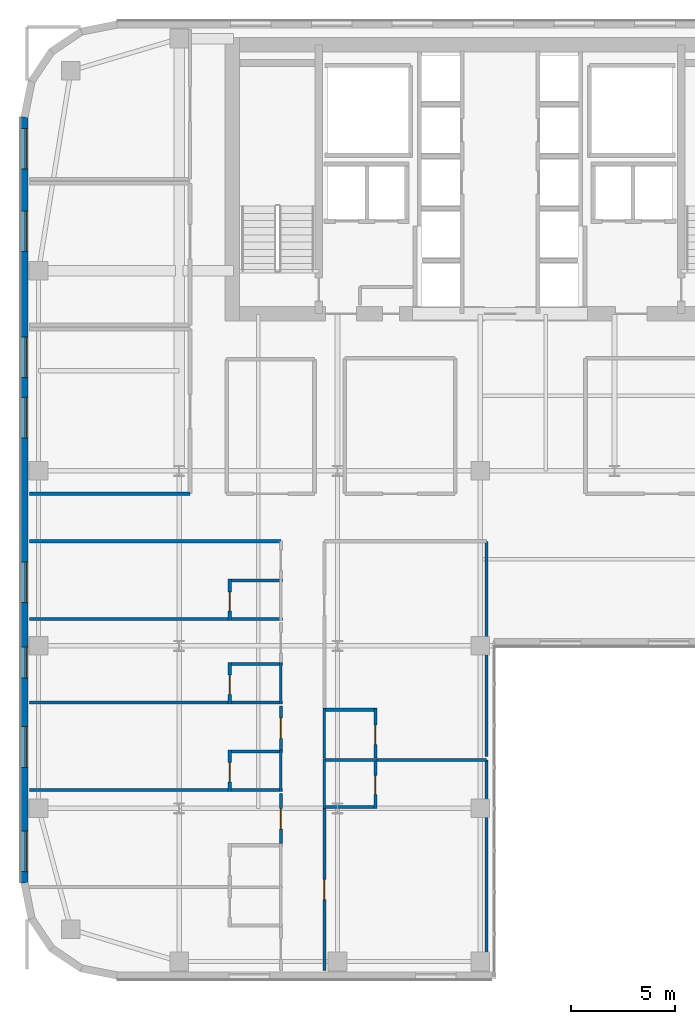
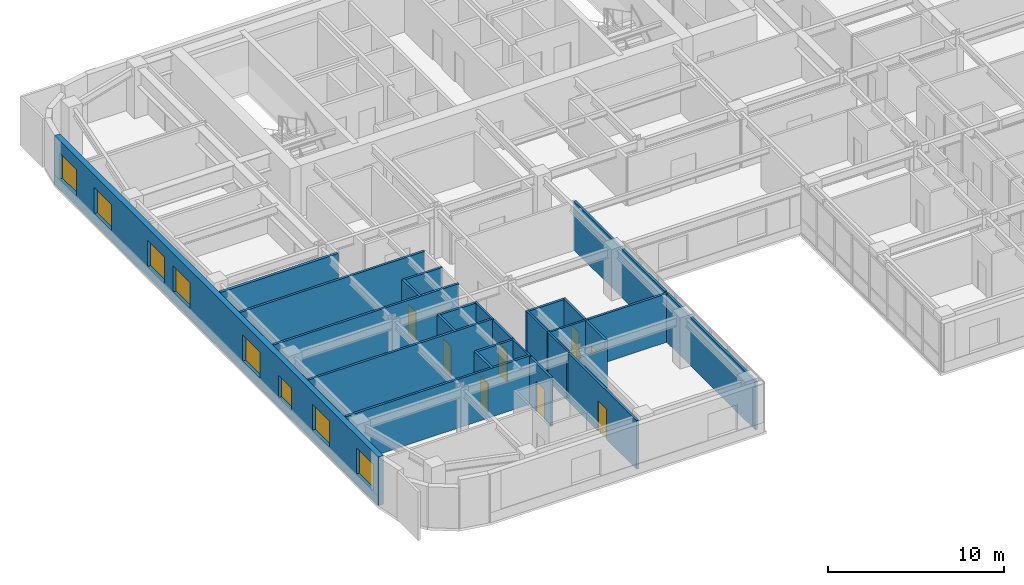
# One storey, part 14 of 25: 27 walls, 8 doors, 8 windows, 16 openings.
"""IFC4 building model written with IfcOpenShell, lengths in metres."""

import ifcopenshell
import ifcopenshell.guid

model = None  # the IFC model being written
_history = None  # IfcOwnerHistory: only IFC2X3 demands one
_inside = {}  # id of a spatial element -> (the spatial element, [elements in it])
_under = {}  # id of a project, library or spatial element -> (it, [spatial elements below it])
_declared = {}  # id of a project -> (the project, [libraries it declares])
_typed = {}  # id of a type object -> (the type object, [elements of that type])
_made_of = {}  # id of a material, layer set ... -> (it, [elements and type objects made of it])


def new_model(schema):
    """Start an empty IFC model of exactly this schema.

    Asked for "IFC4X3", IfcOpenShell would pick the latest addendum, in which some entities
    have other attributes; the version numbers below select the first issue.
    IFC2X3 requires an IfcOwnerHistory on every rooted entity: one is made here for all.
    """
    global model, _history
    if schema == "IFC4X3":
        model = ifcopenshell.file(schema_version=(4, 3, 0, 0))
    else:
        model = ifcopenshell.file(schema=schema)
    _inside.clear()
    _under.clear()
    _declared.clear()
    _typed.clear()
    _made_of.clear()
    _history = None
    if model.schema == "IFC2X3":
        org = make("IfcOrganization", Name="unknown")
        user = make(
            "IfcPersonAndOrganization",
            ThePerson=make("IfcPerson", FamilyName="unknown"),
            TheOrganization=org,
        )
        app = make(
            "IfcApplication",
            ApplicationDeveloper=org,
            Version="unknown",
            ApplicationFullName="unknown",
            ApplicationIdentifier="unknown",
        )
        _history = make(
            "IfcOwnerHistory",
            OwningUser=user,
            OwningApplication=app,
            ChangeAction="ADDED",
            CreationDate=0,
        )
    return model


def make(cls, **values):
    """One entity of the class cls with the attributes given. An attribute that is None is left unset."""
    return model.create_entity(
        cls, **{name: value for name, value in values.items() if value is not None}
    )


def rooted(cls, **values):
    """An entity with a GlobalId (a new one), such as an element, a storey or a relation."""
    return make(cls, GlobalId=ifcopenshell.guid.new(), OwnerHistory=_history, **values)


def si_unit(unit_type, name, prefix=None):
    """IfcSIUnit, for example si_unit("LENGTHUNIT", "METRE", prefix="MILLI")."""
    return make("IfcSIUnit", UnitType=unit_type, Prefix=prefix, Name=name)


def assignment(units):
    """IfcUnitAssignment: the units of a project."""
    return None if units is None else make("IfcUnitAssignment", Units=units)


def point(xyz):
    """IfcCartesianPoint."""
    return None if xyz is None else make("IfcCartesianPoint", Coordinates=xyz)


def direction(xyz):
    """IfcDirection."""
    return None if xyz is None else make("IfcDirection", DirectionRatios=xyz)


def frame(location, z_axis=None, x_axis=None):
    """IfcAxis2Placement3D, a coordinate frame: its origin and axes. An axis left out is left unset."""
    return make(
        "IfcAxis2Placement3D",
        Location=point(location),
        Axis=direction(z_axis),
        RefDirection=direction(x_axis),
    )


def frame_2d(location, x_axis=None):
    """IfcAxis2Placement2D, a coordinate frame in the plane: its origin and x axis."""
    return make(
        "IfcAxis2Placement2D", Location=point(location), RefDirection=direction(x_axis)
    )


def origin():
    """The frame at (0, 0, 0) with its axes left unset."""
    return frame((0.0, 0.0, 0.0))


def place(relative_to, where):
    """IfcLocalPlacement: puts the frame where relative to a parent placement (None: the world)."""
    return make(
        "IfcLocalPlacement", PlacementRelTo=relative_to, RelativePlacement=where
    )


def context(
    kind, dimensions, precision=None, world=None, true_north=None, identifier=None
):
    """IfcGeometricRepresentationContext, for example the 3D "Model" context."""
    return make(
        "IfcGeometricRepresentationContext",
        ContextIdentifier=identifier,
        ContextType=kind,
        CoordinateSpaceDimension=dimensions,
        Precision=precision,
        WorldCoordinateSystem=world,
        TrueNorth=true_north,
    )


def subcontext(parent, identifier, kind, view, scale=None):
    """IfcGeometricRepresentationSubContext, for example "Body" below "Model"."""
    return make(
        "IfcGeometricRepresentationSubContext",
        ContextIdentifier=identifier,
        ContextType=kind,
        ParentContext=parent,
        TargetScale=scale,
        TargetView=view,
    )


def project(units=None, contexts=None):
    """IfcProject with its units and contexts."""
    return rooted(
        "IfcProject",
        Name="project",
        RepresentationContexts=contexts,
        UnitsInContext=assignment(units),
    )


def spatial(cls, under=None, at=None, **own):
    """A site, building, storey or space (cls), placed at a placement, below another one or the project."""
    s = rooted(cls, ObjectPlacement=at, **own)
    if under is not None:
        _under.setdefault(under.id(), (under, []))[1].append(s)
    return s


def profile(cls, at=None, kind="AREA", **sizes):
    """A parametric profile (cls). Its sizes go by their IFC names, for example OverallWidth=200.0."""
    return make(cls, ProfileType=kind, Position=at, **sizes)


def rectangle(**sizes):
    """IfcRectangleProfileDef."""
    return profile("IfcRectangleProfileDef", **sizes)


def extrude(swept, where, along, depth):
    """IfcExtrudedAreaSolid: the profile swept, set in the frame where, extruded along a direction by depth."""
    return make(
        "IfcExtrudedAreaSolid",
        SweptArea=swept,
        Position=where,
        ExtrudedDirection=direction(along),
        Depth=depth,
    )


def shape(context_of_items, identifier, shape_type, items):
    """IfcShapeRepresentation: the items that make up one representation, for example the "Body"."""
    return make(
        "IfcShapeRepresentation",
        ContextOfItems=context_of_items,
        RepresentationIdentifier=identifier,
        RepresentationType=shape_type,
        Items=items,
    )


def source(mapping_origin, context_of_items, identifier, shape_type, items):
    """IfcRepresentationMap: a shape defined once, which mapped items show again and again."""
    return make(
        "IfcRepresentationMap",
        MappingOrigin=mapping_origin,
        MappedRepresentation=shape(context_of_items, identifier, shape_type, items),
    )


def transform(
    local_origin,
    x_axis=None,
    y_axis=None,
    z_axis=None,
    scale=None,
    scale2=None,
    scale3=None,
    uniform=True,
):
    """IfcCartesianTransformationOperator3D, or its non-uniform kind. x_axis, y_axis, z_axis: its Axis1, 2, 3."""
    if uniform:
        return make(
            "IfcCartesianTransformationOperator3D",
            Axis1=direction(x_axis),
            Axis2=direction(y_axis),
            LocalOrigin=point(local_origin),
            Scale=scale,
            Axis3=direction(z_axis),
        )
    return make(
        "IfcCartesianTransformationOperator3DnonUniform",
        Axis1=direction(x_axis),
        Axis2=direction(y_axis),
        LocalOrigin=point(local_origin),
        Scale=scale,
        Axis3=direction(z_axis),
        Scale2=scale2,
        Scale3=scale3,
    )


def mapped(mapping_source, mapping_target):
    """IfcMappedItem: shows the shape of a source again, moved by a transform."""
    return make(
        "IfcMappedItem", MappingSource=mapping_source, MappingTarget=mapping_target
    )


def material(Name=None, Category=None):
    """IfcMaterial."""
    return make("IfcMaterial", Name=Name, Category=Category)


def layer(
    of_material, thickness, ventilated=None, Name=None, Category=None, Priority=None
):
    """IfcMaterialLayer: one layer of a wall or slab, of a material (None: an air gap)."""
    return make(
        "IfcMaterialLayer",
        Material=of_material,
        LayerThickness=thickness,
        IsVentilated=ventilated,
        Name=Name,
        Category=Category,
        Priority=Priority,
    )


def layer_set(layers, Name=None):
    """IfcMaterialLayerSet."""
    return make("IfcMaterialLayerSet", MaterialLayers=layers, LayerSetName=Name)


def made_of(thing, what):
    """Note that an element or type object is made of a material, layer set ...; save() writes the relation."""
    if what is not None:
        _made_of.setdefault(what.id(), (what, []))[1].append(thing)
    return thing


def type_object(cls, material=None, **own):
    """A type object (cls), such as IfcWallType, which elements share."""
    return made_of(rooted(cls, **own), material)


def type_shapes(of_type, sources):
    """Give a type object the sources (RepresentationMaps) that its elements show as mapped items."""
    of_type.RepresentationMaps = sources


def element(
    cls,
    number,
    at=None,
    inside=None,
    cuts=None,
    type_object=None,
    material=None,
    context=None,
    identifier="Body",
    shape_type=None,
    held_by="IfcProductDefinitionShape",
    body=None,
    shapes=None,
    **own,
):
    """One element of the class cls, such as IfcWall. Its Tag is "e" and its number.

    at: its placement. inside: the storey or other place that contains it. cuts: it is an
    opening in that element (IfcRelVoidsElement). A single representation is given by context,
    identifier, shape_type and body (its items); several are given by shapes. held_by: the class
    of the entity that holds the representations. save() writes the other relations.
    """
    e = rooted(cls, Tag="e%d" % number, ObjectPlacement=at, **own)
    if body is not None:
        shapes = [shape(context, identifier, shape_type, body)]
    if shapes is not None:
        e.Representation = make(held_by, Representations=shapes)
    if inside is not None:
        _inside.setdefault(inside.id(), (inside, []))[1].append(e)
    if cuts is not None:
        rooted(
            "IfcRelVoidsElement", RelatingBuildingElement=cuts, RelatedOpeningElement=e
        )
    if type_object is not None:
        _typed.setdefault(type_object.id(), (type_object, []))[1].append(e)
    return made_of(e, material)


def fill(opening, filler):
    """IfcRelFillsElement: the door or window that sits in an opening."""
    return rooted(
        "IfcRelFillsElement",
        RelatingOpeningElement=opening,
        RelatedBuildingElement=filler,
    )


def aggregate(whole, parts):
    """IfcRelAggregates: a whole, such as a stair, and the parts it consists of."""
    return rooted("IfcRelAggregates", RelatingObject=whole, RelatedObjects=parts)


def save(model, path):
    """Write the relations noted so far, then the file.

    IfcRelAggregates (storeys below a building ...), IfcRelContainedInSpatialStructure (elements
    in a storey), IfcRelDefinesByType, IfcRelAssociatesMaterial and IfcRelDeclares: one each for
    every whole, place, type object, material and project.
    """
    for whole, parts in _under.values():
        aggregate(whole, parts)
    for where, things in _inside.values():
        rooted(
            "IfcRelContainedInSpatialStructure",
            RelatedElements=things,
            RelatingStructure=where,
        )
    for kind, things in _typed.values():
        rooted("IfcRelDefinesByType", RelatedObjects=things, RelatingType=kind)
    for what, things in _made_of.values():
        rooted("IfcRelAssociatesMaterial", RelatedObjects=things, RelatingMaterial=what)
    for by, libraries in _declared.values():
        rooted("IfcRelDeclares", RelatingContext=by, RelatedDefinitions=libraries)
    model.write(path)


model = new_model("IFC4")

# Units and contexts
model_context = context("Model", 3, precision=1e-05, world=origin(), true_north=direction((0.0, 1.0)))
body_context = subcontext(model_context, "Body", "Model", "MODEL_VIEW")
ifc_project = project(units=[si_unit("LENGTHUNIT", "METRE"), si_unit("AREAUNIT", "SQUARE_METRE"), si_unit("VOLUMEUNIT", "CUBIC_METRE"), si_unit("PLANEANGLEUNIT", "RADIAN"), si_unit("MASSUNIT", "GRAM", prefix="KILO")], contexts=[model_context])

# Site, building, storey
site_placement = place(None, origin())
site = spatial("IfcSite", under=ifc_project, at=site_placement, CompositionType="ELEMENT")
building_placement = place(site_placement, origin())
building = spatial("IfcBuilding", under=site, at=building_placement, Name="Tolvann Quenvar Hotel", CompositionType="ELEMENT")
storey_placement = place(building_placement, frame((0.0, 0.0, 111.550048828125)))
storey = spatial("IfcBuildingStorey", under=building, at=storey_placement, Name="L28", CompositionType="ELEMENT", Elevation=111.550048828125)

# Wall, openings, windows
ifc_material_1 = material(Name="Kiln-fired red and buff architectural clay brickwork and terracotta masonry", Category="masonry")
ifc_layer_1 = layer(ifc_material_1, 0.35009765625)
ifc_layer_set_1 = layer_set([ifc_layer_1], Name="Kiln-fired red and buff architectural clay brickwork and terracotta masonry")
wall_type_1 = type_object("IfcWallType", Name="WALL_EXT_BRICK_350", PredefinedType="SOLIDWALL", material=ifc_layer_set_1)
wall_1_placement = place(storey_placement, frame((0.175048828125, 41.3828125, 0.0), z_axis=(0.0, 0.0, 1.0), x_axis=(0.0, -1.0, 0.0)))
wall_1 = element("IfcWall", 1, at=wall_1_placement, inside=storey, type_object=wall_type_1, Name="Exterior Chicago Brick Wall L28-E23", PredefinedType="SOLIDWALL", context=body_context, shape_type="SweptSolid", body=[
    extrude(rectangle(XDim=36.765625, YDim=0.35009765625, at=frame_2d((18.3828125, 0.0))), origin(), (0.0, 0.0, 1.0), 3.369873046875),
])
opening_1_placement = place(wall_1_placement, frame((0.551025390625, 0.0, 0.679931640625)))
opening_1 = element("IfcOpeningElement", 2, at=opening_1_placement, cuts=wall_1, Name="Opening W-10", PredefinedType="OPENING", context=body_context, shape_type="SweptSolid", body=[
    extrude(rectangle(XDim=1.949951171875, YDim=1.820068359375, at=frame_2d((0.97509765625, 0.91015625))), frame((0.0, 0.18505859375, 0.0), z_axis=(0.0, -1.0, 0.0), x_axis=(1.0, 0.0, 0.0)), (0.0, 0.0, 1.0), 0.3701171875),
])
opening_2_placement = place(wall_1_placement, frame((4.5029296875, 0.0, 0.679931640625)))
opening_2 = element("IfcOpeningElement", 3, at=opening_2_placement, cuts=wall_1, Name="Opening W-10", PredefinedType="OPENING", context=body_context, shape_type="SweptSolid", body=[
    extrude(rectangle(XDim=1.949951171875, YDim=1.820068359375, at=frame_2d((0.97509765625, 0.91015625))), frame((0.0, 0.18505859375, 0.0), z_axis=(0.0, -1.0, 0.0), x_axis=(1.0, 0.0, 0.0)), (0.0, 0.0, 1.0), 0.3701171875),
])
opening_3_placement = place(wall_1_placement, frame((10.553955078125, 0.0, 0.679931640625)))
opening_3 = element("IfcOpeningElement", 4, at=opening_3_placement, cuts=wall_1, Name="Opening W-10", PredefinedType="OPENING", context=body_context, shape_type="SweptSolid", body=[
    extrude(rectangle(XDim=1.949951171875, YDim=1.820068359375, at=frame_2d((0.97509765625, 0.91015625))), frame((0.0, 0.18505859375, 0.0), z_axis=(0.0, -1.0, 0.0), x_axis=(1.0, 0.0, 0.0)), (0.0, 0.0, 1.0), 0.3701171875),
])
opening_4_placement = place(wall_1_placement, frame((13.4560546875, 0.0, 0.679931640625)))
opening_4 = element("IfcOpeningElement", 5, at=opening_4_placement, cuts=wall_1, Name="Opening W-10", PredefinedType="OPENING", context=body_context, shape_type="SweptSolid", body=[
    extrude(rectangle(XDim=1.949951171875, YDim=1.820068359375, at=frame_2d((0.97509765625, 0.91015625))), frame((0.0, 0.18505859375, 0.0), z_axis=(0.0, -1.0, 0.0), x_axis=(1.0, 0.0, 0.0)), (0.0, 0.0, 1.0), 0.3701171875),
])
opening_5_placement = place(wall_1_placement, frame((21.360107421875, 0.0, 0.679931640625)))
opening_5 = element("IfcOpeningElement", 6, at=opening_5_placement, cuts=wall_1, Name="Opening W-10", PredefinedType="OPENING", context=body_context, shape_type="SweptSolid", body=[
    extrude(rectangle(XDim=1.949951171875, YDim=1.820068359375, at=frame_2d((0.97509765625, 0.91015625))), frame((0.0, 0.18505859375, 0.0), z_axis=(0.0, -1.0, 0.0), x_axis=(1.0, 0.0, 0.0)), (0.0, 0.0, 1.0), 0.3701171875),
])
opening_6_placement = place(wall_1_placement, frame((29.262939453125, 0.0, 0.679931640625)))
opening_6 = element("IfcOpeningElement", 7, at=opening_6_placement, cuts=wall_1, Name="Opening W-10", PredefinedType="OPENING", context=body_context, shape_type="SweptSolid", body=[
    extrude(rectangle(XDim=1.949951171875, YDim=1.820068359375, at=frame_2d((0.97509765625, 0.91015625))), frame((0.0, 0.18505859375, 0.0), z_axis=(0.0, -1.0, 0.0), x_axis=(1.0, 0.0, 0.0)), (0.0, 0.0, 1.0), 0.3701171875),
])
opening_7_placement = place(wall_1_placement, frame((34.264892578125, 0.0, 0.679931640625)))
opening_7 = element("IfcOpeningElement", 8, at=opening_7_placement, cuts=wall_1, Name="Opening W-10", PredefinedType="OPENING", context=body_context, shape_type="SweptSolid", body=[
    extrude(rectangle(XDim=1.949951171875, YDim=1.820068359375, at=frame_2d((0.97509765625, 0.91015625))), frame((0.0, 0.18505859375, 0.0), z_axis=(0.0, -1.0, 0.0), x_axis=(1.0, 0.0, 0.0)), (0.0, 0.0, 1.0), 0.3701171875),
])
opening_8_placement = place(wall_1_placement, frame((25.43310546875, 0.0, 0.6201171875)))
opening_8 = element("IfcOpeningElement", 9, at=opening_8_placement, cuts=wall_1, Name="Opening W-08", PredefinedType="OPENING", context=body_context, shape_type="SweptSolid", body=[
    extrude(rectangle(XDim=1.5, YDim=1.550048828125, at=frame_2d((0.75, 0.77490234375))), frame((0.0, 0.18505859375, 0.0), z_axis=(0.0, -1.0, 0.0), x_axis=(1.0, 0.0, 0.0)), (0.0, 0.0, 1.0), 0.3701171875),
])
ifc_material_2 = material(Name="Thermally broken bronze-anodised aluminium frame with double low-E glazing", Category="aluminium")
window_type_1 = type_object("IfcWindowType", Name="WIN_COR_1500x2050", PartitioningType="SINGLE_PANEL", PredefinedType="WINDOW", material=ifc_material_2)
shared_shape_1 = source(origin(), body_context, "Body", "SweptSolid", [
    extrude(rectangle(XDim=1.5, YDim=1.550048828125, at=frame_2d((0.75, 0.77490234375))), frame((0.0, 0.090087890625, 0.0), z_axis=(0.0, -1.0, 0.0), x_axis=(1.0, 0.0, 0.0)), (0.0, 0.0, 1.0), 0.06005859375),
])
type_shapes(window_type_1, [shared_shape_1])
window_1_placement = place(opening_8_placement, origin())
window_1 = element("IfcWindow", 10, at=window_1_placement, inside=storey, type_object=window_type_1, Name="Chicago Window W-08 (EW-L28-E23-WD08)", OverallHeight=1.550048828125, OverallWidth=1.5, PartitioningType="SINGLE_PANEL", PredefinedType="WINDOW", context=body_context, shape_type="MappedRepresentation", body=[
    mapped(shared_shape_1, transform((0.0, 0.0, 0.0), x_axis=(1.0, 0.0, 0.0), y_axis=(0.0, 1.0, 0.0), z_axis=(0.0, 0.0, 1.0), scale=1.0)),
])
fill(opening_8, window_1)
window_type_2 = type_object("IfcWindowType", Name="WIN_CLB_1950x1850", PartitioningType="DOUBLE_PANEL_VERTICAL", PredefinedType="WINDOW", material=ifc_material_2)
shared_shape_2 = source(origin(), body_context, "Body", "SweptSolid", [
    extrude(rectangle(XDim=1.949951171875, YDim=1.820068359375, at=frame_2d((0.97509765625, 0.91015625))), frame((0.0, 0.090087890625, 0.0), z_axis=(0.0, -1.0, 0.0), x_axis=(1.0, 0.0, 0.0)), (0.0, 0.0, 1.0), 0.06005859375),
])
type_shapes(window_type_2, [shared_shape_2])
window_2_placement = place(opening_1_placement, origin())
window_2 = element("IfcWindow", 11, at=window_2_placement, inside=storey, type_object=window_type_2, Name="Chicago Window W-10 (EW-L28-E23-W01)", OverallHeight=1.820068359375, OverallWidth=1.949951171875, PartitioningType="DOUBLE_PANEL_VERTICAL", PredefinedType="WINDOW", context=body_context, shape_type="MappedRepresentation", body=[
    mapped(shared_shape_2, transform((0.0, 0.0, 0.0), x_axis=(1.0, 0.0, 0.0), y_axis=(0.0, 1.0, 0.0), z_axis=(0.0, 0.0, 1.0), scale=1.0)),
])
fill(opening_1, window_2)
window_3_placement = place(opening_2_placement, origin())
window_3 = element("IfcWindow", 12, at=window_3_placement, inside=storey, type_object=window_type_2, Name="Chicago Window W-10 (EW-L28-E23-W02)", OverallHeight=1.820068359375, OverallWidth=1.949951171875, PartitioningType="DOUBLE_PANEL_VERTICAL", PredefinedType="WINDOW", context=body_context, shape_type="MappedRepresentation", body=[
    mapped(shared_shape_2, transform((0.0, 0.0, 0.0), x_axis=(1.0, 0.0, 0.0), y_axis=(0.0, 1.0, 0.0), z_axis=(0.0, 0.0, 1.0), scale=1.0)),
])
fill(opening_2, window_3)
window_4_placement = place(opening_3_placement, origin())
window_4 = element("IfcWindow", 13, at=window_4_placement, inside=storey, type_object=window_type_2, Name="Chicago Window W-10 (EW-L28-E23-W03)", OverallHeight=1.820068359375, OverallWidth=1.949951171875, PartitioningType="DOUBLE_PANEL_VERTICAL", PredefinedType="WINDOW", context=body_context, shape_type="MappedRepresentation", body=[
    mapped(shared_shape_2, transform((0.0, 0.0, 0.0), x_axis=(1.0, 0.0, 0.0), y_axis=(0.0, 1.0, 0.0), z_axis=(0.0, 0.0, 1.0), scale=1.0)),
])
fill(opening_3, window_4)
window_5_placement = place(opening_4_placement, origin())
window_5 = element("IfcWindow", 14, at=window_5_placement, inside=storey, type_object=window_type_2, Name="Chicago Window W-10 (EW-L28-E23-W04)", OverallHeight=1.820068359375, OverallWidth=1.949951171875, PartitioningType="DOUBLE_PANEL_VERTICAL", PredefinedType="WINDOW", context=body_context, shape_type="MappedRepresentation", body=[
    mapped(shared_shape_2, transform((0.0, 0.0, 0.0), x_axis=(1.0, 0.0, 0.0), y_axis=(0.0, 1.0, 0.0), z_axis=(0.0, 0.0, 1.0), scale=1.0)),
])
fill(opening_4, window_5)
window_6_placement = place(opening_5_placement, origin())
window_6 = element("IfcWindow", 15, at=window_6_placement, inside=storey, type_object=window_type_2, Name="Chicago Window W-10 (EW-L28-E23-W05)", OverallHeight=1.820068359375, OverallWidth=1.949951171875, PartitioningType="DOUBLE_PANEL_VERTICAL", PredefinedType="WINDOW", context=body_context, shape_type="MappedRepresentation", body=[
    mapped(shared_shape_2, transform((0.0, 0.0, 0.0), x_axis=(1.0, 0.0, 0.0), y_axis=(0.0, 1.0, 0.0), z_axis=(0.0, 0.0, 1.0), scale=1.0)),
])
fill(opening_5, window_6)
window_7_placement = place(opening_6_placement, origin())
window_7 = element("IfcWindow", 16, at=window_7_placement, inside=storey, type_object=window_type_2, Name="Chicago Window W-10 (EW-L28-E23-W06)", OverallHeight=1.820068359375, OverallWidth=1.949951171875, PartitioningType="DOUBLE_PANEL_VERTICAL", PredefinedType="WINDOW", context=body_context, shape_type="MappedRepresentation", body=[
    mapped(shared_shape_2, transform((0.0, 0.0, 0.0), x_axis=(1.0, 0.0, 0.0), y_axis=(0.0, 1.0, 0.0), z_axis=(0.0, 0.0, 1.0), scale=1.0)),
])
fill(opening_6, window_7)
window_8_placement = place(opening_7_placement, origin())
window_8 = element("IfcWindow", 17, at=window_8_placement, inside=storey, type_object=window_type_2, Name="Chicago Window W-10 (EW-L28-E23-W07)", OverallHeight=1.820068359375, OverallWidth=1.949951171875, PartitioningType="DOUBLE_PANEL_VERTICAL", PredefinedType="WINDOW", context=body_context, shape_type="MappedRepresentation", body=[
    mapped(shared_shape_2, transform((0.0, 0.0, 0.0), x_axis=(1.0, 0.0, 0.0), y_axis=(0.0, 1.0, 0.0), z_axis=(0.0, 0.0, 1.0), scale=1.0)),
])
fill(opening_7, window_8)

# Walls
ifc_material_3 = material(Name="Acoustic twin-stud fire-rated gypsum plasterboard partition")
ifc_layer_2 = layer(ifc_material_3, 0.179931640625)
ifc_layer_set_2 = layer_set([ifc_layer_2], Name="Acoustic twin-stud fire-rated gypsum plasterboard partition")
wall_type_2 = type_object("IfcWallType", Name="WALL_PART_ACOUSTIC_180", PredefinedType="PARTITIONING", material=ifc_layer_set_2)
wall_2_placement = place(storey_placement, frame((0.405029296875, 23.300048828125, 0.0), z_axis=(0.0, 0.0, 1.0), x_axis=(1.0, 0.0, 0.0)))
element("IfcWall", 18, at=wall_2_placement, inside=storey, type_object=wall_type_2, Name="Interior Partition PT-SPC-L28-SAL-S", PredefinedType="PARTITIONING", context=body_context, shape_type="SweptSolid", body=[
    extrude(rectangle(XDim=7.715087890625, YDim=0.179931640625, at=frame_2d((3.857421875, 0.0))), origin(), (0.0, 0.0, 1.0), 3.369873046875),
])
ifc_material_4 = material(Name="Moisture-resistant acoustic plumbing wall assembly")
ifc_layer_3 = layer(ifc_material_4, 0.1201171875)
ifc_layer_set_3 = layer_set([ifc_layer_3], Name="Moisture-resistant acoustic plumbing wall assembly")
wall_type_3 = type_object("IfcWallType", Name="WALL_PART_BATH_120", PredefinedType="PLUMBINGWALL", material=ifc_layer_set_3)
for number, where, z_axis, x_axis, name in (
    (19, (12.47998046875, 9.010009765625, 0.0), (0.0, 0.0, 1.0), (0.0, 1.0, 0.0), "Non-Rated Plumbing Partition PT-SPC-L28-ENS-WO03-E"),
    (20, (12.47998046875, 13.2099609375, 0.0), (0.0, 0.0, 1.0), (0.0, 1.0, 0.0), "Non-Rated Plumbing Partition PT-SPC-L28-ENS-WO04-E"),
):
    element("IfcWall", number, at=place(storey_placement, frame(where, z_axis=z_axis, x_axis=x_axis)), inside=storey, type_object=wall_type_3, Name=name, PredefinedType="PLUMBINGWALL", context=body_context, shape_type="SweptSolid", body=[
        extrude(rectangle(XDim=1.989990234375, YDim=0.1201171875, at=frame_2d((0.9951171875, 0.0))), origin(), (0.0, 0.0, 1.0), 3.369873046875),
    ])
wall_3_placement = place(storey_placement, frame((14.5, 10.52001953125, 0.0), z_axis=(0.0, 0.0, 1.0), x_axis=(1.0, 0.0, 0.0)))
element("IfcWall", 21, at=wall_3_placement, inside=storey, type_object=wall_type_3, Name="Non-Rated Plumbing Partition PT-SPC-L28-ENS-WI01-N", PredefinedType="PLUMBINGWALL", context=body_context, shape_type="SweptSolid", body=[
    extrude(rectangle(XDim=2.590087890625, YDim=0.1201171875, at=frame_2d((1.294921875, 0.0))), origin(), (0.0, 0.0, 1.0), 3.369873046875),
])
wall_4_placement = place(storey_placement, frame((14.570068359375, 8.199951171875, 0.0), z_axis=(0.0, 0.0, 1.0), x_axis=(0.0, 1.0, 0.0)))
element("IfcWall", 22, at=wall_4_placement, inside=storey, type_object=wall_type_3, Name="Non-Rated Plumbing Partition PT-SPC-L28-ENS-WI01-W", PredefinedType="PLUMBINGWALL", context=body_context, shape_type="SweptSolid", body=[
    extrude(rectangle(XDim=2.39013671875, YDim=0.1201171875, at=frame_2d((1.195068359375, 0.0))), origin(), (0.0, 0.0, 1.0), 3.369873046875),
])
wall_5_placement = place(storey_placement, frame((14.570068359375, 10.610107421875, 0.0), z_axis=(0.0, 0.0, 1.0), x_axis=(0.0, 1.0, 0.0)))
element("IfcWall", 23, at=wall_5_placement, inside=storey, type_object=wall_type_3, Name="Non-Rated Plumbing Partition PT-SPC-L28-ENS-WI02-W", PredefinedType="PLUMBINGWALL", context=body_context, shape_type="SweptSolid", body=[
    extrude(rectangle(XDim=2.389892578125, YDim=0.1201171875, at=frame_2d((1.19482421875, 0.0))), origin(), (0.0, 0.0, 1.0), 3.369873046875),
])

# Wall, opening, door
ifc_layer_4 = layer(ifc_material_3, 0.14990234375)
ifc_layer_set_4 = layer_set([ifc_layer_4], Name="Acoustic twin-stud fire-rated gypsum plasterboard partition")
wall_type_4 = type_object("IfcWallType", Name="WALL_PART_SUITE_150", PredefinedType="PARTITIONING", material=ifc_layer_set_4)
wall_6_placement = place(storey_placement, frame((10.030029296875, 9.010009765625, 0.0), z_axis=(0.0, 0.0, 1.0), x_axis=(0.0, 1.0, 0.0)))
wall_6 = element("IfcWall", 24, at=wall_6_placement, inside=storey, type_object=wall_type_4, Name="Interior Partition PT-SPC-L28-ENS-WO03-ENT", PredefinedType="PARTITIONING", context=body_context, shape_type="SweptSolid", body=[
    extrude(rectangle(XDim=1.989990234375, YDim=0.14990234375, at=frame_2d((0.9951171875, 0.0))), origin(), (0.0, 0.0, 1.0), 3.369873046875),
])
opening_9_placement = place(wall_6_placement, frame((0.465087890625, 0.0, 0.0)))
opening_9 = element("IfcOpeningElement", 25, at=opening_9_placement, cuts=wall_6, Name="Opening WD-01", PredefinedType="OPENING", context=body_context, shape_type="SweptSolid", body=[
    extrude(rectangle(XDim=0.919921875, YDim=2.010009765625, at=frame_2d((0.4599609375, 1.0048828125))), frame((0.0, 0.0849609375, 0.0), z_axis=(0.0, -1.0, 0.0), x_axis=(1.0, 0.0, 0.0)), (0.0, 0.0, 1.0), 0.169921875),
])
ifc_material_5 = material(Name="Solid-core American oak acoustic fire door leaf in steel frame", Category="steel")
door_type_1 = type_object("IfcDoorType", Name="DOOR_WC_920", OperationType="NOTDEFINED", PredefinedType="DOOR", material=ifc_material_5)
shared_shape_3 = source(origin(), body_context, "Body", "SweptSolid", [
    extrude(rectangle(XDim=0.919921875, YDim=2.010009765625, at=frame_2d((0.4599609375, 1.0048828125))), frame((0.0, 0.02490234375, 0.0), z_axis=(0.0, -1.0, 0.0), x_axis=(1.0, 0.0, 0.0)), (0.0, 0.0, 1.0), 0.050048828125),
])
type_shapes(door_type_1, [shared_shape_3])
door_1_placement = place(opening_9_placement, origin())
door_1 = element("IfcDoor", 26, at=door_1_placement, inside=storey, type_object=door_type_1, Name="Interior Door DOOR-SPC-L28-ENS-WO03", OperationType="SINGLE_SWING_LEFT", OverallHeight=2.010009765625, OverallWidth=0.919921875, PredefinedType="DOOR", context=body_context, shape_type="MappedRepresentation", body=[
    mapped(shared_shape_3, transform((0.0, 0.0, 0.0), x_axis=(1.0, 0.0, 0.0), y_axis=(0.0, 1.0, 0.0), z_axis=(0.0, 0.0, 1.0), scale=1.0)),
])
fill(opening_9, door_1)

# Walls
wall_7_placement = place(storey_placement, frame((0.405029296875, 9.080078125, 0.0), z_axis=(0.0, 0.0, 1.0), x_axis=(1.0, 0.0, 0.0)))
element("IfcWall", 27, at=wall_7_placement, inside=storey, type_object=wall_type_4, Name="Interior Partition PT-SPC-L28-ENS-WO03-S", PredefinedType="PARTITIONING", context=body_context, shape_type="SweptSolid", body=[
    extrude(rectangle(XDim=12.14501953125, YDim=0.14990234375, at=frame_2d((6.072509765625, 0.0))), origin(), (0.0, 0.0, 1.0), 3.369873046875),
])
wall_8_placement = place(storey_placement, frame((9.9599609375, 10.929931640625, 0.0), z_axis=(0.0, 0.0, 1.0), x_axis=(1.0, 0.0, 0.0)))
element("IfcWall", 28, at=wall_8_placement, inside=storey, type_object=wall_type_4, Name="Interior Partition PT-SPC-L28-ENS-WO03-N", PredefinedType="PARTITIONING", context=body_context, shape_type="SweptSolid", body=[
    extrude(rectangle(XDim=2.590087890625, YDim=0.14990234375, at=frame_2d((1.294921875, 0.0))), origin(), (0.0, 0.0, 1.0), 3.369873046875),
])

# Wall, opening, door
wall_9_placement = place(storey_placement, frame((10.030029296875, 13.2099609375, 0.0), z_axis=(0.0, 0.0, 1.0), x_axis=(0.0, 1.0, 0.0)))
wall_9 = element("IfcWall", 29, at=wall_9_placement, inside=storey, type_object=wall_type_4, Name="Interior Partition PT-SPC-L28-ENS-WO04-ENT", PredefinedType="PARTITIONING", context=body_context, shape_type="SweptSolid", body=[
    extrude(rectangle(XDim=1.989990234375, YDim=0.14990234375, at=frame_2d((0.9951171875, 0.0))), origin(), (0.0, 0.0, 1.0), 3.369873046875),
])
opening_10_placement = place(wall_9_placement, frame((0.465087890625, 0.0, 0.0)))
opening_10 = element("IfcOpeningElement", 30, at=opening_10_placement, cuts=wall_9, Name="Opening WD-01", PredefinedType="OPENING", context=body_context, shape_type="SweptSolid", body=[
    extrude(rectangle(XDim=0.919921875, YDim=2.010009765625, at=frame_2d((0.4599609375, 1.0048828125))), frame((0.0, 0.0849609375, 0.0), z_axis=(0.0, -1.0, 0.0), x_axis=(1.0, 0.0, 0.0)), (0.0, 0.0, 1.0), 0.169921875),
])
door_2_placement = place(opening_10_placement, origin())
door_2 = element("IfcDoor", 31, at=door_2_placement, inside=storey, type_object=door_type_1, Name="Interior Door DOOR-SPC-L28-ENS-WO04", OperationType="SINGLE_SWING_RIGHT", OverallHeight=2.010009765625, OverallWidth=0.919921875, PredefinedType="DOOR", context=body_context, shape_type="MappedRepresentation", body=[
    mapped(shared_shape_3, transform((0.0, 0.0, 0.0), x_axis=(1.0, 0.0, 0.0), y_axis=(0.0, 1.0, 0.0), z_axis=(0.0, 0.0, 1.0), scale=1.0)),
])
fill(opening_10, door_2)

# Walls
wall_10_placement = place(storey_placement, frame((0.405029296875, 13.280029296875, 0.0), z_axis=(0.0, 0.0, 1.0), x_axis=(1.0, 0.0, 0.0)))
element("IfcWall", 32, at=wall_10_placement, inside=storey, type_object=wall_type_4, Name="Interior Partition PT-SPC-L28-ENS-WO04-S", PredefinedType="PARTITIONING", context=body_context, shape_type="SweptSolid", body=[
    extrude(rectangle(XDim=12.14501953125, YDim=0.14990234375, at=frame_2d((6.072509765625, 0.0))), origin(), (0.0, 0.0, 1.0), 3.369873046875),
])
wall_11_placement = place(storey_placement, frame((9.9599609375, 15.1298828125, 0.0), z_axis=(0.0, 0.0, 1.0), x_axis=(1.0, 0.0, 0.0)))
element("IfcWall", 33, at=wall_11_placement, inside=storey, type_object=wall_type_4, Name="Interior Partition PT-SPC-L28-ENS-WO04-N", PredefinedType="PARTITIONING", context=body_context, shape_type="SweptSolid", body=[
    extrude(rectangle(XDim=2.590087890625, YDim=0.14990234375, at=frame_2d((1.294921875, 0.0))), origin(), (0.0, 0.0, 1.0), 3.369873046875),
])

# Wall, opening, door
wall_12_placement = place(storey_placement, frame((10.030029296875, 17.2099609375, 0.0), z_axis=(0.0, 0.0, 1.0), x_axis=(0.0, 1.0, 0.0)))
wall_12 = element("IfcWall", 34, at=wall_12_placement, inside=storey, type_object=wall_type_4, Name="Interior Partition PT-SPC-L28-ENS-WO05-ENT", PredefinedType="PARTITIONING", context=body_context, shape_type="SweptSolid", body=[
    extrude(rectangle(XDim=1.989990234375, YDim=0.14990234375, at=frame_2d((0.9951171875, 0.0))), origin(), (0.0, 0.0, 1.0), 3.369873046875),
])
opening_11_placement = place(wall_12_placement, frame((0.465087890625, 0.0, 0.0)))
opening_11 = element("IfcOpeningElement", 35, at=opening_11_placement, cuts=wall_12, Name="Opening WD-01", PredefinedType="OPENING", context=body_context, shape_type="SweptSolid", body=[
    extrude(rectangle(XDim=0.919921875, YDim=2.010009765625, at=frame_2d((0.4599609375, 1.0048828125))), frame((0.0, 0.0849609375, 0.0), z_axis=(0.0, -1.0, 0.0), x_axis=(1.0, 0.0, 0.0)), (0.0, 0.0, 1.0), 0.169921875),
])
door_3_placement = place(opening_11_placement, origin())
door_3 = element("IfcDoor", 36, at=door_3_placement, inside=storey, type_object=door_type_1, Name="Interior Door DOOR-SPC-L28-ENS-WO05", OperationType="SINGLE_SWING_LEFT", OverallHeight=2.010009765625, OverallWidth=0.919921875, PredefinedType="DOOR", context=body_context, shape_type="MappedRepresentation", body=[
    mapped(shared_shape_3, transform((0.0, 0.0, 0.0), x_axis=(1.0, 0.0, 0.0), y_axis=(0.0, 1.0, 0.0), z_axis=(0.0, 0.0, 1.0), scale=1.0)),
])
fill(opening_11, door_3)

# Walls
wall_13_placement = place(storey_placement, frame((0.405029296875, 17.280029296875, 0.0), z_axis=(0.0, 0.0, 1.0), x_axis=(1.0, 0.0, 0.0)))
element("IfcWall", 37, at=wall_13_placement, inside=storey, type_object=wall_type_4, Name="Interior Partition PT-SPC-L28-ENS-WO05-S", PredefinedType="PARTITIONING", context=body_context, shape_type="SweptSolid", body=[
    extrude(rectangle(XDim=12.14501953125, YDim=0.14990234375, at=frame_2d((6.072509765625, 0.0))), origin(), (0.0, 0.0, 1.0), 3.369873046875),
])
wall_14_placement = place(storey_placement, frame((9.9599609375, 19.1298828125, 0.0), z_axis=(0.0, 0.0, 1.0), x_axis=(1.0, 0.0, 0.0)))
element("IfcWall", 38, at=wall_14_placement, inside=storey, type_object=wall_type_4, Name="Interior Partition PT-SPC-L28-ENS-WO05-N", PredefinedType="PARTITIONING", context=body_context, shape_type="SweptSolid", body=[
    extrude(rectangle(XDim=2.590087890625, YDim=0.14990234375, at=frame_2d((1.294921875, 0.0))), origin(), (0.0, 0.0, 1.0), 3.369873046875),
])

# Wall, opening, door
wall_15_placement = place(storey_placement, frame((17.02001953125, 8.199951171875, 0.0), z_axis=(0.0, 0.0, 1.0), x_axis=(0.0, 1.0, 0.0)))
wall_15 = element("IfcWall", 39, at=wall_15_placement, inside=storey, type_object=wall_type_4, Name="Interior Partition PT-SPC-L28-ENS-WI01-ENT", PredefinedType="PARTITIONING", context=body_context, shape_type="SweptSolid", body=[
    extrude(rectangle(XDim=2.39013671875, YDim=0.14990234375, at=frame_2d((1.195068359375, 0.0))), origin(), (0.0, 0.0, 1.0), 3.369873046875),
])
opening_12_placement = place(wall_15_placement, frame((0.6650390625, 0.0, 0.0)))
opening_12 = element("IfcOpeningElement", 40, at=opening_12_placement, cuts=wall_15, Name="Opening WD-01", PredefinedType="OPENING", context=body_context, shape_type="SweptSolid", body=[
    extrude(rectangle(XDim=0.919921875, YDim=2.010009765625, at=frame_2d((0.4599609375, 1.0048828125))), frame((0.0, 0.0849609375, 0.0), z_axis=(0.0, -1.0, 0.0), x_axis=(1.0, 0.0, 0.0)), (0.0, 0.0, 1.0), 0.169921875),
])
door_4_placement = place(opening_12_placement, origin())
door_4 = element("IfcDoor", 41, at=door_4_placement, inside=storey, type_object=door_type_1, Name="Interior Door DOOR-SPC-L28-ENS-WI01", OperationType="SINGLE_SWING_RIGHT", OverallHeight=2.010009765625, OverallWidth=0.919921875, PredefinedType="DOOR", context=body_context, shape_type="MappedRepresentation", body=[
    mapped(shared_shape_3, transform((0.0, 0.0, 0.0), x_axis=(1.0, 0.0, 0.0), y_axis=(0.0, 1.0, 0.0), z_axis=(0.0, 0.0, 1.0), scale=1.0)),
])
fill(opening_12, door_4)

# Wall
wall_16_placement = place(storey_placement, frame((14.5, 8.27001953125, 0.0), z_axis=(0.0, 0.0, 1.0), x_axis=(1.0, 0.0, 0.0)))
element("IfcWall", 42, at=wall_16_placement, inside=storey, type_object=wall_type_4, Name="Interior Partition PT-SPC-L28-ENS-WI01-S", PredefinedType="PARTITIONING", context=body_context, shape_type="SweptSolid", body=[
    extrude(rectangle(XDim=2.590087890625, YDim=0.14990234375, at=frame_2d((1.294921875, 0.0))), origin(), (0.0, 0.0, 1.0), 2.748046875),
])

# Wall, opening, door
wall_17_placement = place(storey_placement, frame((17.02001953125, 10.610107421875, 0.0), z_axis=(0.0, 0.0, 1.0), x_axis=(0.0, 1.0, 0.0)))
wall_17 = element("IfcWall", 43, at=wall_17_placement, inside=storey, type_object=wall_type_4, Name="Interior Partition PT-SPC-L28-ENS-WI02-ENT", PredefinedType="PARTITIONING", context=body_context, shape_type="SweptSolid", body=[
    extrude(rectangle(XDim=2.389892578125, YDim=0.14990234375, at=frame_2d((1.19482421875, 0.0))), origin(), (0.0, 0.0, 1.0), 3.369873046875),
])
opening_13_placement = place(wall_17_placement, frame((0.6650390625, 0.0, 0.0)))
opening_13 = element("IfcOpeningElement", 44, at=opening_13_placement, cuts=wall_17, Name="Opening WD-01", PredefinedType="OPENING", context=body_context, shape_type="SweptSolid", body=[
    extrude(rectangle(XDim=0.919921875, YDim=2.010009765625, at=frame_2d((0.4599609375, 1.0048828125))), frame((0.0, 0.0849609375, 0.0), z_axis=(0.0, -1.0, 0.0), x_axis=(1.0, 0.0, 0.0)), (0.0, 0.0, 1.0), 0.169921875),
])
door_5_placement = place(opening_13_placement, origin())
door_5 = element("IfcDoor", 45, at=door_5_placement, inside=storey, type_object=door_type_1, Name="Interior Door DOOR-SPC-L28-ENS-WI02", OperationType="SINGLE_SWING_LEFT", OverallHeight=2.010009765625, OverallWidth=0.919921875, PredefinedType="DOOR", context=body_context, shape_type="MappedRepresentation", body=[
    mapped(shared_shape_3, transform((0.0, 0.0, 0.0), x_axis=(1.0, 0.0, 0.0), y_axis=(0.0, 1.0, 0.0), z_axis=(0.0, 0.0, 1.0), scale=1.0)),
])
fill(opening_13, door_5)

# Wall
wall_18_placement = place(storey_placement, frame((14.5, 12.929931640625, 0.0), z_axis=(0.0, 0.0, 1.0), x_axis=(1.0, 0.0, 0.0)))
element("IfcWall", 46, at=wall_18_placement, inside=storey, type_object=wall_type_4, Name="Interior Partition PT-SPC-L28-ENS-WI02-N", PredefinedType="PARTITIONING", context=body_context, shape_type="SweptSolid", body=[
    extrude(rectangle(XDim=2.590087890625, YDim=0.14990234375, at=frame_2d((1.294921875, 0.0))), origin(), (0.0, 0.0, 1.0), 3.369873046875),
])

# Wall, opening, door
wall_19_placement = place(storey_placement, frame((12.47998046875, 6.510009765625, 0.0), z_axis=(0.0, 0.0, 1.0), x_axis=(0.0, 1.0, 0.0)))
wall_19 = element("IfcWall", 47, at=wall_19_placement, inside=storey, type_object=wall_type_4, Name="Interior Partition PT-SPC-L28-RM-WO02-ENT", PredefinedType="PARTITIONING", context=body_context, shape_type="SweptSolid", body=[
    extrude(rectangle(XDim=2.409912109375, YDim=0.14990234375, at=frame_2d((1.205078125, 0.0))), origin(), (0.0, 0.0, 1.0), 3.369873046875),
])
opening_14_placement = place(wall_19_placement, frame((0.695068359375, 0.0, 0.0)))
opening_14 = element("IfcOpeningElement", 48, at=opening_14_placement, cuts=wall_19, Name="Opening SD-01", PredefinedType="OPENING", context=body_context, shape_type="SweptSolid", body=[
    extrude(rectangle(XDim=0.97998046875, YDim=2.1201171875, at=frame_2d((0.489990234375, 1.06005859375))), frame((0.0, 0.0849609375, 0.0), z_axis=(0.0, -1.0, 0.0), x_axis=(1.0, 0.0, 0.0)), (0.0, 0.0, 1.0), 0.169921875),
])
door_type_2 = type_object("IfcDoorType", Name="DOOR_SUITE_980", OperationType="NOTDEFINED", PredefinedType="DOOR", material=ifc_material_5)
shared_shape_4 = source(origin(), body_context, "Body", "SweptSolid", [
    extrude(rectangle(XDim=0.97998046875, YDim=2.1201171875, at=frame_2d((0.489990234375, 1.06005859375))), frame((0.0, 0.02490234375, 0.0), z_axis=(0.0, -1.0, 0.0), x_axis=(1.0, 0.0, 0.0)), (0.0, 0.0, 1.0), 0.050048828125),
])
type_shapes(door_type_2, [shared_shape_4])
door_6_placement = place(opening_14_placement, origin())
door_6 = element("IfcDoor", 49, at=door_6_placement, inside=storey, type_object=door_type_2, Name="Interior Door DOOR-SPC-L28-RM-WO02", OperationType="SINGLE_SWING_LEFT", OverallHeight=2.1201171875, OverallWidth=0.97998046875, PredefinedType="DOOR", context=body_context, shape_type="MappedRepresentation", body=[
    mapped(shared_shape_4, transform((0.0, 0.0, 0.0), x_axis=(1.0, 0.0, 0.0), y_axis=(0.0, 1.0, 0.0), z_axis=(0.0, 0.0, 1.0), scale=1.0)),
])
fill(opening_14, door_6)

wall_20_placement = place(storey_placement, frame((12.47998046875, 11.010009765625, 0.0), z_axis=(0.0, 0.0, 1.0), x_axis=(0.0, 1.0, 0.0)))
wall_20 = element("IfcWall", 50, at=wall_20_placement, inside=storey, type_object=wall_type_4, Name="Interior Partition PT-SPC-L28-RM-WO03-ENT", PredefinedType="PARTITIONING", context=body_context, shape_type="SweptSolid", body=[
    extrude(rectangle(XDim=2.110107421875, YDim=0.14990234375, at=frame_2d((1.05517578125, 0.0))), origin(), (0.0, 0.0, 1.0), 3.369873046875),
])
opening_15_placement = place(wall_20_placement, frame((0.544921875, 0.0, 0.0)))
opening_15 = element("IfcOpeningElement", 51, at=opening_15_placement, cuts=wall_20, Name="Opening SD-01", PredefinedType="OPENING", context=body_context, shape_type="SweptSolid", body=[
    extrude(rectangle(XDim=0.97998046875, YDim=2.1201171875, at=frame_2d((0.489990234375, 1.06005859375))), frame((0.0, 0.0849609375, 0.0), z_axis=(0.0, -1.0, 0.0), x_axis=(1.0, 0.0, 0.0)), (0.0, 0.0, 1.0), 0.169921875),
])
door_7_placement = place(opening_15_placement, origin())
door_7 = element("IfcDoor", 52, at=door_7_placement, inside=storey, type_object=door_type_2, Name="Interior Door DOOR-SPC-L28-RM-WO03", OperationType="SINGLE_SWING_RIGHT", OverallHeight=2.1201171875, OverallWidth=0.97998046875, PredefinedType="DOOR", context=body_context, shape_type="MappedRepresentation", body=[
    mapped(shared_shape_4, transform((0.0, 0.0, 0.0), x_axis=(1.0, 0.0, 0.0), y_axis=(0.0, 1.0, 0.0), z_axis=(0.0, 0.0, 1.0), scale=1.0)),
])
fill(opening_15, door_7)

# Wall
wall_21_placement = place(storey_placement, frame((0.405029296875, 21.02001953125, 0.0), z_axis=(0.0, 0.0, 1.0), x_axis=(1.0, 0.0, 0.0)))
element("IfcWall", 53, at=wall_21_placement, inside=storey, type_object=wall_type_4, Name="Interior Partition PT-SPC-L28-RM-WO05-E5", PredefinedType="PARTITIONING", context=body_context, shape_type="SweptSolid", body=[
    extrude(rectangle(XDim=12.074951171875, YDim=0.14990234375, at=frame_2d((6.03759765625, 0.0))), origin(), (0.0, 0.0, 1.0), 3.369873046875),
])

# Wall, opening, door
wall_22_placement = place(storey_placement, frame((14.570068359375, 0.405029296875, 0.0), z_axis=(0.0, 0.0, 1.0), x_axis=(0.0, 1.0, 0.0)))
wall_22 = element("IfcWall", 54, at=wall_22_placement, inside=storey, type_object=wall_type_4, Name="Interior Partition PT-SPC-L28-RM-WI01-ENT", PredefinedType="PARTITIONING", context=body_context, shape_type="SweptSolid", body=[
    extrude(rectangle(XDim=7.784912109375, YDim=0.14990234375, at=frame_2d((3.892578125, 0.0))), origin(), (0.0, 0.0, 1.0), 3.369873046875),
])
opening_16_placement = place(wall_22_placement, frame((3.409912109375, 0.0, 0.0)))
opening_16 = element("IfcOpeningElement", 55, at=opening_16_placement, cuts=wall_22, Name="Opening SD-01", PredefinedType="OPENING", context=body_context, shape_type="SweptSolid", body=[
    extrude(rectangle(XDim=0.97998046875, YDim=2.1201171875, at=frame_2d((0.489990234375, 1.06005859375))), frame((0.0, 0.0849609375, 0.0), z_axis=(0.0, -1.0, 0.0), x_axis=(1.0, 0.0, 0.0)), (0.0, 0.0, 1.0), 0.169921875),
])
door_8_placement = place(opening_16_placement, origin())
door_8 = element("IfcDoor", 56, at=door_8_placement, inside=storey, type_object=door_type_2, Name="Interior Door DOOR-SPC-L28-RM-WI01", OperationType="SINGLE_SWING_LEFT", OverallHeight=2.1201171875, OverallWidth=0.97998046875, PredefinedType="DOOR", context=body_context, shape_type="MappedRepresentation", body=[
    mapped(shared_shape_4, transform((0.0, 0.0, 0.0), x_axis=(1.0, 0.0, 0.0), y_axis=(0.0, 1.0, 0.0), z_axis=(0.0, 0.0, 1.0), scale=1.0)),
])
fill(opening_16, door_8)

# Walls
wall_23_placement = place(storey_placement, frame((22.35009765625, 0.405029296875, 0.0), z_axis=(0.0, 0.0, 1.0), x_axis=(0.0, 1.0, 0.0)))
element("IfcWall", 57, at=wall_23_placement, inside=storey, type_object=wall_type_4, Name="Interior Partition PT-SPC-L28-RM-WI01-E2", PredefinedType="PARTITIONING", context=body_context, shape_type="SweptSolid", body=[
    extrude(rectangle(XDim=10.114990234375, YDim=0.14990234375, at=frame_2d((5.0576171875, 0.0))), origin(), (0.0, 0.0, 1.0), 3.369873046875),
])
wall_24_placement = place(storey_placement, frame((17.0400390625, 10.52001953125, 0.0), z_axis=(0.0, 0.0, 1.0), x_axis=(1.0, 0.0, 0.0)))
element("IfcWall", 58, at=wall_24_placement, inside=storey, type_object=wall_type_4, Name="Interior Partition PT-SPC-L28-RM-WI01-E3", PredefinedType="PARTITIONING", context=body_context, shape_type="SweptSolid", body=[
    extrude(rectangle(XDim=5.31005859375, YDim=0.14990234375, at=frame_2d((2.655029296875, 0.0))), origin(), (0.0, 0.0, 1.0), 3.369873046875),
])
wall_25_placement = place(storey_placement, frame((22.35009765625, 10.679931640625, 0.0), z_axis=(0.0, 0.0, 1.0), x_axis=(0.0, 1.0, 0.0)))
element("IfcWall", 59, at=wall_25_placement, inside=storey, type_object=wall_type_4, Name="Interior Partition PT-SPC-L28-RM-WI02-E4", PredefinedType="PARTITIONING", context=body_context, shape_type="SweptSolid", body=[
    extrude(rectangle(XDim=10.340087890625, YDim=0.14990234375, at=frame_2d((5.169921875, 0.0))), origin(), (0.0, 0.0, 1.0), 3.369873046875),
])

save(model, "model.ifc")
